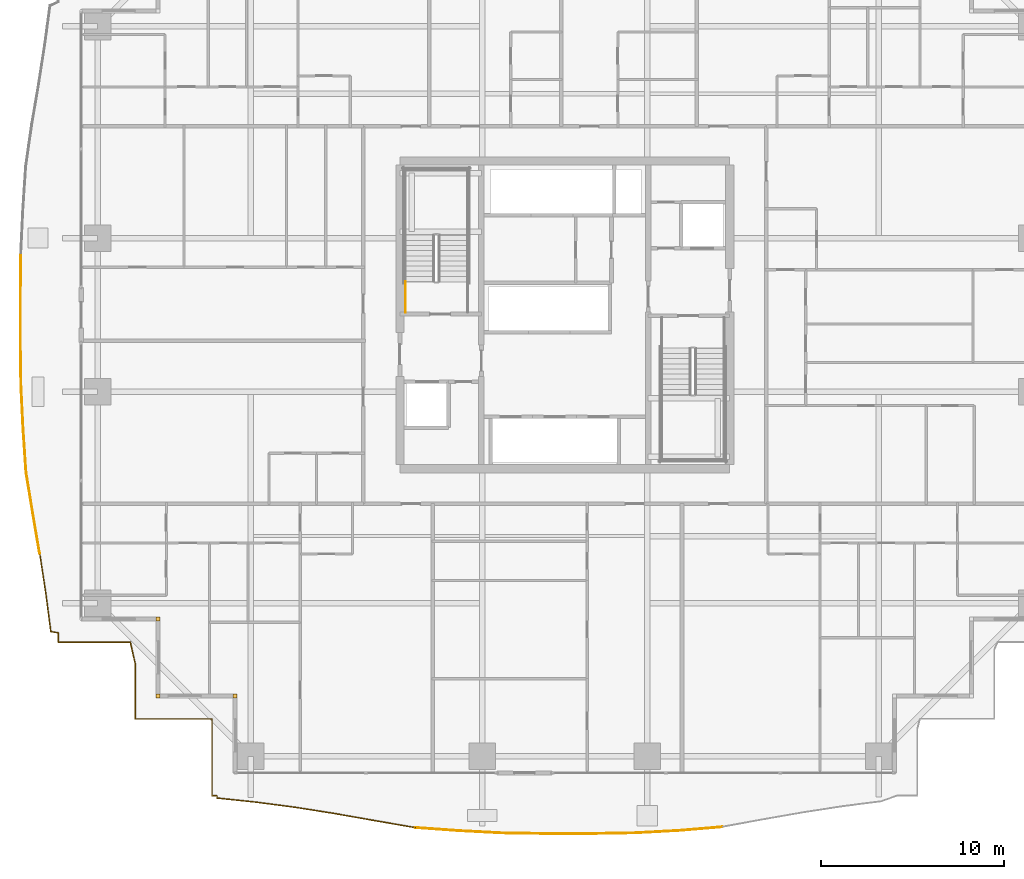
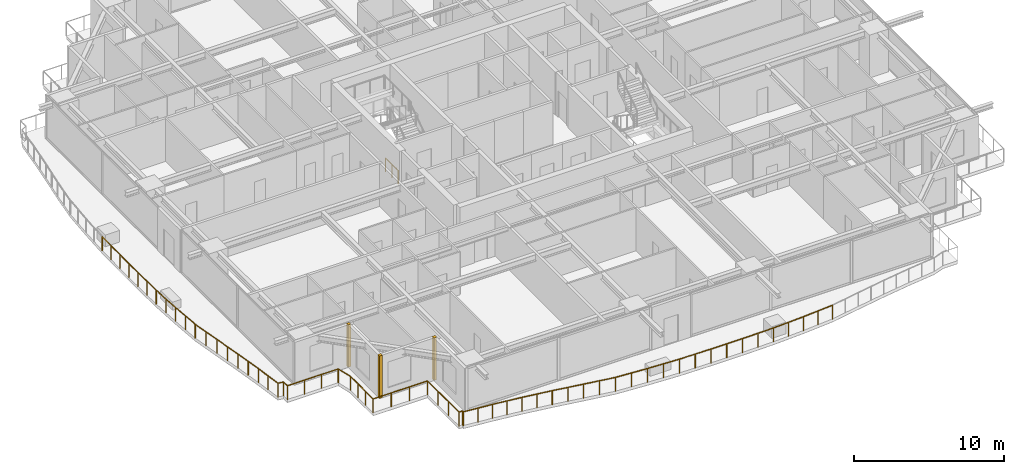
# One storey, part 35 of 41: 5 railings, 3 coverings.
"""IFC4 building model written with IfcOpenShell, lengths in metres."""

from ifc_helpers import new_model, si_unit, direction, frame, origin, origin_2d, place, context, subcontext, project, spatial, rectangle, circle, extrude, source, transform, mapped, material, layer, layer_set, type_object, element, save


model = new_model("IFC4")

# Units and contexts
model_context = context("Model", 3, precision=1e-05, world=origin(), true_north=direction((0.0, 1.0)))
body_context = subcontext(model_context, "Body", "Model", "MODEL_VIEW")
ifc_project = project(units=[si_unit("LENGTHUNIT", "METRE"), si_unit("AREAUNIT", "SQUARE_METRE"), si_unit("VOLUMEUNIT", "CUBIC_METRE"), si_unit("PLANEANGLEUNIT", "RADIAN"), si_unit("MASSUNIT", "GRAM", prefix="KILO")], contexts=[model_context])

# Site, building, storey
site_placement = place(None, origin())
site = spatial("IfcSite", under=ifc_project, at=site_placement, CompositionType="ELEMENT")
building_placement = place(site_placement, origin())
building = spatial("IfcBuilding", under=site, at=building_placement, Name="Serunith Strait Residences", CompositionType="ELEMENT")
storey_placement = place(building_placement, frame((0.0, 0.0, 45.449951171875)))
storey = spatial("IfcBuildingStorey", under=building, at=storey_placement, Name="L10", CompositionType="ELEMENT", Elevation=45.449951171875)

# Railings
ifc_material_1 = material(Name="Stainless Steel & Laminated Glass Balustrade", Category="steel")
railing_type_1 = type_object("IfcRailingType", Name="RLG-BALC-1150", PredefinedType="BALUSTRADE", material=ifc_material_1)
railing_1_placement = place(storey_placement, frame((13.139892578125, 3.139892578125, -0.050048828125)))
element("IfcRailing", 1, at=railing_1_placement, inside=storey, type_object=railing_type_1, Name="L10 Swirling Balcony Perimeter Balustrade 1", PredefinedType="BALUSTRADE", context=body_context, shape_type="SweptSolid", body=[
    extrude(circle(Radius=0.02392578125, at=origin_2d()), frame((-0.001953125, 0.0, 1.1259765625), z_axis=(-1.0, 0.0, 0.0), x_axis=(0.0, -1.0, 0.0)), (0.0, 0.0, 1.0), 4.196044921875),
    extrude(circle(Radius=0.02392578125, at=origin_2d()), frame((-4.199951171875, 0.001953125, 1.1259765625), z_axis=(0.0, 1.0, 0.0), x_axis=(-1.0, 0.0, 0.0)), (0.0, 0.0, 1.0), 3.036376953125),
    extrude(circle(Radius=0.02392578125, at=origin_2d()), frame((-4.200439453125, 3.042236328125, 1.1259765625), z_axis=(-0.223420826301, 0.974722080583, 0.0), x_axis=(-0.974722080583, -0.223420826301, 0.0)), (0.0, 0.0, 1.0), 1.18603515625),
    extrude(circle(Radius=0.02392578125, at=origin_2d()), frame((-4.4677734375, 4.2001953125, 1.1259765625), z_axis=(-1.0, 0.0, 0.0), x_axis=(0.0, -1.0, 0.0)), (0.0, 0.0, 1.0), 3.93017578125),
    extrude(circle(Radius=0.02392578125, at=origin_2d()), frame((-8.39990234375, 4.2021484375, 1.1259765625), z_axis=(0.0, 1.0, 0.0), x_axis=(-1.0, 0.0, 0.0)), (0.0, 0.0, 1.0), 0.50048828125),
    extrude(circle(Radius=0.02392578125, at=origin_2d()), frame((-8.40185546875, 4.704833984375, 1.1259765625), z_axis=(-0.987410703107, 0.158177442731, 0.0), x_axis=(-0.158177442731, -0.987410703107, 0.0)), (0.0, 0.0, 1.0), 0.403564453125),
    extrude(circle(Radius=0.02392578125, at=origin_2d()), frame((-8.802490234375, 4.77099609375, 1.1259765625), z_axis=(-0.12981583456, 0.991538122866, 0.0), x_axis=(-0.991538122866, -0.12981583456, 0.0)), (0.0, 0.0, 1.0), 2.141845703125),
    extrude(circle(Radius=0.02392578125, at=origin_2d()), frame((-9.0810546875, 6.898681640625, 1.1259765625), z_axis=(-0.151913750849, 0.988393753675, 0.0), x_axis=(-0.988393753675, -0.151913750849, 0.0)), (0.0, 0.0, 1.0), 2.17041015625),
    extrude(circle(Radius=0.02099609375, at=origin_2d()), origin(), (0.0, 0.0, 1.0), 1.099853515625),
    extrude(circle(Radius=0.02099609375, at=origin_2d()), frame((-1.39990234375, 0.0, 0.0)), (0.0, 0.0, 1.0), 1.099853515625),
    extrude(circle(Radius=0.02099609375, at=origin_2d()), frame((-2.800048828125, 0.0, 0.0)), (0.0, 0.0, 1.0), 1.099853515625),
    extrude(circle(Radius=0.02099609375, at=origin_2d()), frame((-4.199951171875, 0.0, 0.0)), (0.0, 0.0, 1.0), 1.099853515625),
    extrude(circle(Radius=0.02099609375, at=origin_2d()), frame((-4.199951171875, 1.013427734375, 0.0)), (0.0, 0.0, 1.0), 1.099853515625),
    extrude(circle(Radius=0.02099609375, at=origin_2d()), frame((-4.199951171875, 2.02685546875, 0.0)), (0.0, 0.0, 1.0), 1.099853515625),
    extrude(circle(Radius=0.02099609375, at=origin_2d()), frame((-4.199951171875, 3.040283203125, 0.0)), (0.0, 0.0, 1.0), 1.099853515625),
    extrude(circle(Radius=0.02099609375, at=origin_2d()), frame((-4.4658203125, 4.2001953125, 0.0)), (0.0, 0.0, 1.0), 1.099853515625),
    extrude(circle(Radius=0.02099609375, at=origin_2d()), frame((-5.777099609375, 4.2001953125, 0.0)), (0.0, 0.0, 1.0), 1.099853515625),
    extrude(circle(Radius=0.02099609375, at=origin_2d()), frame((-7.088623046875, 4.2001953125, 0.0)), (0.0, 0.0, 1.0), 1.099853515625),
    extrude(circle(Radius=0.02099609375, at=origin_2d()), frame((-8.39990234375, 4.2001953125, 0.0)), (0.0, 0.0, 1.0), 1.099853515625),
    extrude(circle(Radius=0.02099609375, at=origin_2d()), frame((-8.39990234375, 4.70458984375, 0.0)), (0.0, 0.0, 1.0), 1.099853515625),
    extrude(circle(Radius=0.02099609375, at=origin_2d()), frame((-8.80224609375, 4.76904296875, 0.0)), (0.0, 0.0, 1.0), 1.099853515625),
    extrude(circle(Radius=0.02099609375, at=origin_2d()), frame((-8.94140625, 5.8330078125, 0.0)), (0.0, 0.0, 1.0), 1.099853515625),
    extrude(circle(Radius=0.02099609375, at=origin_2d()), frame((-9.080810546875, 6.896728515625, 0.0)), (0.0, 0.0, 1.0), 1.099853515625),
    extrude(circle(Radius=0.02099609375, at=origin_2d()), frame((-9.24609375, 7.97119140625, 0.0)), (0.0, 0.0, 1.0), 1.099853515625),
    extrude(circle(Radius=0.02099609375, at=origin_2d()), frame((-9.4111328125, 9.0458984375, 0.0)), (0.0, 0.0, 1.0), 1.099853515625),
])
railing_2_placement = place(storey_placement, frame((3.728759765625, 12.185791015625, -0.050048828125)))
element("IfcRailing", 2, at=railing_2_placement, inside=storey, type_object=railing_type_1, Name="L10 Swirling Balcony Perimeter Balustrade 2", PredefinedType="BALUSTRADE", context=body_context, shape_type="SweptSolid", body=[
    extrude(circle(Radius=0.02392578125, at=origin_2d()), frame((-0.000244140625, 0.001953125, 1.1259765625), z_axis=(-0.167146302009, 0.985932104014, 0.0), x_axis=(-0.985932104014, -0.167146302009, 0.0)), (0.0, 0.0, 1.0), 2.214599609375),
    extrude(circle(Radius=0.02392578125, at=origin_2d()), frame((-0.37109375, 2.189453125, 1.1259765625), z_axis=(-0.16212227532, 0.986770676421, 0.0), x_axis=(-0.986770676421, -0.16212227532, 0.0)), (0.0, 0.0, 1.0), 2.2744140625),
    extrude(circle(Radius=0.02392578125, at=origin_2d()), frame((-0.740478515625, 4.437744140625, 1.1259765625), z_axis=(-0.067508570844, 0.997718694253, 0.0), x_axis=(-0.997718694253, -0.067508570844, 0.0)), (0.0, 0.0, 1.0), 2.35400390625),
    extrude(circle(Radius=0.02392578125, at=origin_2d()), frame((-0.8994140625, 6.790283203125, 1.1259765625), z_axis=(-0.048794736856, 0.998808827381, 0.0), x_axis=(-0.998808827381, -0.048794736856, 0.0)), (0.0, 0.0, 1.0), 2.382568359375),
    extrude(circle(Radius=0.02392578125, at=origin_2d()), frame((-1.015869140625, 9.174072265625, 1.1259765625), z_axis=(-0.013701515177, 0.999906129835, 0.0), x_axis=(-0.999906129835, -0.013701515177, 0.0)), (0.0, 0.0, 1.0), 2.401611328125),
    extrude(circle(Radius=0.02392578125, at=origin_2d()), frame((-1.048828125, 11.579345703125, 1.1259765625), z_axis=(0.0, 1.0, 0.0), x_axis=(-1.0, 0.0, 0.0)), (0.0, 0.0, 1.0), 2.40966796875),
    extrude(circle(Radius=0.02392578125, at=origin_2d()), frame((-1.048828125, 13.992919921875, 1.1259765625), z_axis=(0.011462018351, 0.99993430891, 0.0), x_axis=(-0.99993430891, 0.011462018351, 0.0)), (0.0, 0.0, 1.0), 2.40283203125),
    extrude(circle(Radius=0.02099609375, at=origin_2d()), origin(), (0.0, 0.0, 1.0), 1.099853515625),
    extrude(circle(Radius=0.02099609375, at=origin_2d()), frame((-0.185546875, 1.09375, 0.0)), (0.0, 0.0, 1.0), 1.099853515625),
    extrude(circle(Radius=0.02099609375, at=origin_2d()), frame((-0.370849609375, 2.1875, 0.0)), (0.0, 0.0, 1.0), 1.099853515625),
    extrude(circle(Radius=0.02099609375, at=origin_2d()), frame((-0.5556640625, 3.3115234375, 0.0)), (0.0, 0.0, 1.0), 1.099853515625),
    extrude(circle(Radius=0.02099609375, at=origin_2d()), frame((-0.740234375, 4.435791015625, 0.0)), (0.0, 0.0, 1.0), 1.099853515625),
    extrude(circle(Radius=0.02099609375, at=origin_2d()), frame((-0.81982421875, 5.612060546875, 0.0)), (0.0, 0.0, 1.0), 1.099853515625),
    extrude(circle(Radius=0.02099609375, at=origin_2d()), frame((-0.8994140625, 6.788330078125, 0.0)), (0.0, 0.0, 1.0), 1.099853515625),
    extrude(circle(Radius=0.02099609375, at=origin_2d()), frame((-0.95751953125, 7.980224609375, 0.0)), (0.0, 0.0, 1.0), 1.099853515625),
    extrude(circle(Radius=0.02099609375, at=origin_2d()), frame((-1.015869140625, 9.172119140625, 0.0)), (0.0, 0.0, 1.0), 1.099853515625),
    extrude(circle(Radius=0.02099609375, at=origin_2d()), frame((-1.0322265625, 10.374755859375, 0.0)), (0.0, 0.0, 1.0), 1.099853515625),
    extrude(circle(Radius=0.02099609375, at=origin_2d()), frame((-1.048828125, 11.577392578125, 0.0)), (0.0, 0.0, 1.0), 1.099853515625),
    extrude(circle(Radius=0.02099609375, at=origin_2d()), frame((-1.048828125, 12.7841796875, 0.0)), (0.0, 0.0, 1.0), 1.099853515625),
    extrude(circle(Radius=0.02099609375, at=origin_2d()), frame((-1.048828125, 13.990966796875, 0.0)), (0.0, 0.0, 1.0), 1.099853515625),
    extrude(circle(Radius=0.02099609375, at=origin_2d()), frame((-1.03515625, 15.1943359375, 0.0)), (0.0, 0.0, 1.0), 1.099853515625),
    extrude(circle(Radius=0.02099609375, at=origin_2d()), frame((-1.021240234375, 16.397705078125, 0.0)), (0.0, 0.0, 1.0), 1.099853515625),
])
railing_3_placement = place(storey_placement, frame((41.0087890625, -2.7509765625, -0.050048828125)))
element("IfcRailing", 3, at=railing_3_placement, inside=storey, type_object=railing_type_1, Name="L10 Swirling Balcony Perimeter Balustrade 7", PredefinedType="BALUSTRADE", context=body_context, shape_type="SweptSolid", body=[
    extrude(circle(Radius=0.02392578125, at=origin_2d()), frame((-0.001953125, -0.000244140625, 1.1259765625), z_axis=(-0.996434944958, -0.08436468732, 0.0), x_axis=(0.08436468732, -0.996434944958, 0.0)), (0.0, 0.0, 1.0), 2.3544921875),
    extrude(circle(Radius=0.02392578125, at=origin_2d()), frame((-2.35205078125, -0.198974609375, 1.1259765625), z_axis=(-0.998553230412, -0.053772167839, 0.0), x_axis=(0.053772167839, -0.998553230412, 0.0)), (0.0, 0.0, 1.0), 2.393310546875),
    extrude(circle(Radius=0.02392578125, at=origin_2d()), frame((-4.745849609375, -0.327880859375, 1.1259765625), z_axis=(-0.999854591758, -0.017052722374, 0.0), x_axis=(0.017052722374, -0.999854591758, 0.0)), (0.0, 0.0, 1.0), 2.41552734375),
    extrude(circle(Radius=0.02392578125, at=origin_2d()), frame((-7.1650390625, -0.369140625, 1.1259765625), z_axis=(-1.0, 0.0, 0.0), x_axis=(0.0, -1.0, 0.0)), (0.0, 0.0, 1.0), 2.424560546875),
    extrude(circle(Radius=0.02392578125, at=origin_2d()), frame((-9.593505859375, -0.369140625, 1.1259765625), z_axis=(-0.999896031612, 0.014419638213, 0.0), x_axis=(-0.014419638213, -0.999896031612, 0.0)), (0.0, 0.0, 1.0), 2.417236328125),
    extrude(circle(Radius=0.02392578125, at=origin_2d()), frame((-12.014404296875, -0.334228515625, 1.1259765625), z_axis=(-0.998659371128, 0.051763505082, 0.0), x_axis=(-0.051763505082, -0.998659371128, 0.0)), (0.0, 0.0, 1.0), 2.396728515625),
    extrude(circle(Radius=0.02392578125, at=origin_2d()), frame((-14.411865234375, -0.209716796875, 1.1259765625), z_axis=(-0.997431951691, 0.071620539976, 0.0), x_axis=(-0.071620539976, -0.997431951691, 0.0)), (0.0, 0.0, 1.0), 2.365234375),
    extrude(circle(Radius=0.02099609375, at=origin_2d()), origin(), (0.0, 0.0, 1.0), 1.099853515625),
    extrude(circle(Radius=0.02099609375, at=origin_2d()), frame((-1.175048828125, -0.099609375, 0.0)), (0.0, 0.0, 1.0), 1.099853515625),
    extrude(circle(Radius=0.02099609375, at=origin_2d()), frame((-2.35009765625, -0.198974609375, 0.0)), (0.0, 0.0, 1.0), 1.099853515625),
    extrude(circle(Radius=0.02099609375, at=origin_2d()), frame((-3.546875, -0.263427734375, 0.0)), (0.0, 0.0, 1.0), 1.099853515625),
    extrude(circle(Radius=0.02099609375, at=origin_2d()), frame((-4.743896484375, -0.327880859375, 0.0)), (0.0, 0.0, 1.0), 1.099853515625),
    extrude(circle(Radius=0.02099609375, at=origin_2d()), frame((-5.95361328125, -0.3486328125, 0.0)), (0.0, 0.0, 1.0), 1.099853515625),
    extrude(circle(Radius=0.02099609375, at=origin_2d()), frame((-7.1630859375, -0.369140625, 0.0)), (0.0, 0.0, 1.0), 1.099853515625),
    extrude(circle(Radius=0.02099609375, at=origin_2d()), frame((-8.37744140625, -0.369140625, 0.0)), (0.0, 0.0, 1.0), 1.099853515625),
    extrude(circle(Radius=0.02099609375, at=origin_2d()), frame((-9.591552734375, -0.369140625, 0.0)), (0.0, 0.0, 1.0), 1.099853515625),
    extrude(circle(Radius=0.02099609375, at=origin_2d()), frame((-10.802001953125, -0.3515625, 0.0)), (0.0, 0.0, 1.0), 1.099853515625),
    extrude(circle(Radius=0.02099609375, at=origin_2d()), frame((-12.012451171875, -0.334228515625, 0.0)), (0.0, 0.0, 1.0), 1.099853515625),
    extrude(circle(Radius=0.02099609375, at=origin_2d()), frame((-13.211181640625, -0.27197265625, 0.0)), (0.0, 0.0, 1.0), 1.099853515625),
    extrude(circle(Radius=0.02099609375, at=origin_2d()), frame((-14.409912109375, -0.2099609375, 0.0)), (0.0, 0.0, 1.0), 1.099853515625),
    extrude(circle(Radius=0.02099609375, at=origin_2d()), frame((-15.59130859375, -0.125, 0.0)), (0.0, 0.0, 1.0), 1.099853515625),
    extrude(circle(Radius=0.02099609375, at=origin_2d()), frame((-16.77294921875, -0.040283203125, 0.0)), (0.0, 0.0, 1.0), 1.099853515625),
])
railing_4_placement = place(storey_placement, frame((24.23583984375, -2.791259765625, -0.050048828125)))
element("IfcRailing", 4, at=railing_4_placement, inside=storey, type_object=railing_type_1, Name="L10 Swirling Balcony Perimeter Balustrade 8", PredefinedType="BALUSTRADE", context=body_context, shape_type="SweptSolid", body=[
    extrude(circle(Radius=0.02392578125, at=origin_2d()), frame((-0.001953125, 0.000244140625, 1.1259765625), z_axis=(-0.985364317378, 0.170461614557, 0.0), x_axis=(-0.170461614557, -0.985364317378, 0.0)), (0.0, 0.0, 1.0), 2.280517578125),
    extrude(circle(Radius=0.02392578125, at=origin_2d()), frame((-2.2529296875, 0.3896484375, 1.1259765625), z_axis=(-0.984804588978, 0.173666120839, 0.0), x_axis=(-0.173666120839, -0.984804588978, 0.0)), (0.0, 0.0, 1.0), 2.2158203125),
    extrude(circle(Radius=0.02392578125, at=origin_2d()), frame((-4.43896484375, 0.775146484375, 1.1259765625), z_axis=(-0.987850276869, 0.155408592073, 0.0), x_axis=(-0.155408592073, -0.987850276869, 0.0)), (0.0, 0.0, 1.0), 2.168701171875),
    extrude(circle(Radius=0.02392578125, at=origin_2d()), frame((-6.585205078125, 1.11279296875, 1.1259765625), z_axis=(-0.991476763085, 0.130283645413, 0.0), x_axis=(-0.130283645413, -0.991476763085, 0.0)), (0.0, 0.0, 1.0), 2.1396484375),
    extrude(circle(Radius=0.02392578125, at=origin_2d()), frame((-8.710693359375, 1.39208984375, 1.1259765625), z_axis=(-0.994521769657, 0.104529659321, 0.0), x_axis=(-0.104529659321, -0.994521769657, 0.0)), (0.0, 0.0, 1.0), 2.1259765625),
    extrude(circle(Radius=0.02392578125, at=origin_2d()), frame((-10.8271484375, 1.616455078125, 1.1259765625), z_axis=(0.008367907853, 0.999964988446, 0.0), x_axis=(-0.999964988446, 0.008367907853, 0.0)), (0.0, 0.0, 1.0), 0.11279296875),
    extrude(circle(Radius=0.02392578125, at=origin_2d()), frame((-10.828125, 1.731201171875, 1.1259765625), z_axis=(-1.0, 0.0, 0.0), x_axis=(0.0, -1.0, 0.0)), (0.0, 0.0, 1.0), 0.265869140625),
    extrude(circle(Radius=0.02392578125, at=origin_2d()), frame((-11.095947265625, 1.733154296875, 1.1259765625), z_axis=(0.0, 1.0, 0.0), x_axis=(-1.0, 0.0, 0.0)), (0.0, 0.0, 1.0), 4.196044921875),
    extrude(circle(Radius=0.02099609375, at=origin_2d()), origin(), (0.0, 0.0, 1.0), 1.099853515625),
    extrude(circle(Radius=0.02099609375, at=origin_2d()), frame((-1.12548828125, 0.19482421875, 0.0)), (0.0, 0.0, 1.0), 1.099853515625),
    extrude(circle(Radius=0.02099609375, at=origin_2d()), frame((-2.2509765625, 0.389404296875, 0.0)), (0.0, 0.0, 1.0), 1.099853515625),
    extrude(circle(Radius=0.02099609375, at=origin_2d()), frame((-3.343994140625, 0.58203125, 0.0)), (0.0, 0.0, 1.0), 1.099853515625),
    extrude(circle(Radius=0.02099609375, at=origin_2d()), frame((-4.43701171875, 0.77490234375, 0.0)), (0.0, 0.0, 1.0), 1.099853515625),
    extrude(circle(Radius=0.02099609375, at=origin_2d()), frame((-5.51025390625, 0.94384765625, 0.0)), (0.0, 0.0, 1.0), 1.099853515625),
    extrude(circle(Radius=0.02099609375, at=origin_2d()), frame((-6.583251953125, 1.112548828125, 0.0)), (0.0, 0.0, 1.0), 1.099853515625),
    extrude(circle(Radius=0.02099609375, at=origin_2d()), frame((-7.64599609375, 1.252197265625, 0.0)), (0.0, 0.0, 1.0), 1.099853515625),
    extrude(circle(Radius=0.02099609375, at=origin_2d()), frame((-8.708740234375, 1.391845703125, 0.0)), (0.0, 0.0, 1.0), 1.099853515625),
    extrude(circle(Radius=0.02099609375, at=origin_2d()), frame((-9.76806640625, 1.503173828125, 0.0)), (0.0, 0.0, 1.0), 1.099853515625),
    extrude(circle(Radius=0.02099609375, at=origin_2d()), frame((-10.8271484375, 1.614501953125, 0.0)), (0.0, 0.0, 1.0), 1.099853515625),
    extrude(circle(Radius=0.02099609375, at=origin_2d()), frame((-10.826171875, 1.731201171875, 0.0)), (0.0, 0.0, 1.0), 1.099853515625),
    extrude(circle(Radius=0.02099609375, at=origin_2d()), frame((-11.095947265625, 1.731201171875, 0.0)), (0.0, 0.0, 1.0), 1.099853515625),
    extrude(circle(Radius=0.02099609375, at=origin_2d()), frame((-11.095947265625, 3.131103515625, 0.0)), (0.0, 0.0, 1.0), 1.099853515625),
    extrude(circle(Radius=0.02099609375, at=origin_2d()), frame((-11.095947265625, 4.53125, 0.0)), (0.0, 0.0, 1.0), 1.099853515625),
    extrude(circle(Radius=0.02099609375, at=origin_2d()), frame((-11.095947265625, 5.93115234375, 0.0)), (0.0, 0.0, 1.0), 1.099853515625),
])
ifc_material_2 = material(Name="Brushed stainless steel 316L", Category="steel")
railing_type_2 = type_object("IfcRailingType", Name="RLG-STAIR-GUARD", PredefinedType="BALUSTRADE", material=ifc_material_2)
railing_5_placement = place(storey_placement, frame((23.699951171875, 25.35009765625, 0.0)))
element("IfcRailing", 5, at=railing_5_placement, inside=storey, type_object=railing_type_2, Name="L10 ST-1 stair guard 9", PredefinedType="BALUSTRADE", context=body_context, shape_type="SweptSolid", body=[
    extrude(circle(Radius=0.02392578125, at=origin_2d()), frame((0.0, 0.001953125, 1.076171875), z_axis=(0.0, 1.0, 0.0), x_axis=(-1.0, 0.0, 0.0)), (0.0, 0.0, 1.0), 1.676025390625),
    extrude(circle(Radius=0.02099609375, at=origin_2d()), origin(), (0.0, 0.0, 1.0), 1.050048828125),
    extrude(circle(Radius=0.02099609375, at=origin_2d()), frame((0.0, 0.83984375, 0.0)), (0.0, 0.0, 1.0), 1.050048828125),
    extrude(circle(Radius=0.02099609375, at=origin_2d()), frame((0.0, 1.679931640625, 0.0)), (0.0, 0.0, 1.0), 1.050048828125),
])

# Coverings
ifc_material_3 = material(Name="Pale-Champagne Anodised Aluminium", Category="aluminium")
ifc_layer = layer(ifc_material_3, 0.219970703125, Name="Pale-Champagne Anodised Aluminium")
ifc_layer_set = layer_set([ifc_layer], Name="Pale-Champagne Anodised Aluminium")
covering_type = type_object("IfcCoveringType", Name="COV-CORN-TRIM", PredefinedType="CLADDING", material=ifc_layer_set)
shared_shape = source(origin(), body_context, "Body", "SweptSolid", [
    extrude(rectangle(XDim=0.221923828125, YDim=0.221923828125, at=origin_2d()), origin(), (0.0, 0.0, 1.0), 3.47509765625),
])
for number, where, z_axis, x_axis, name in (
    (6, (10.199951171875, 8.60009765625, 0.0), (0.0, 0.0, 1.0), (1.0, 0.0, 0.0), "L10 Girih Serrated Corner Trim Post 17"),
    (7, (10.199951171875, 4.39990234375, 0.0), (0.0, 0.0, 1.0), (1.0, 0.0, 0.0), "L10 Girih Serrated Corner Trim Post 18"),
    (8, (14.39990234375, 4.39990234375, 0.0), (0.0, 0.0, 1.0), (1.0, 0.0, 0.0), "L10 Girih Serrated Corner Trim Post 19"),
):
    element("IfcCovering", number, at=place(storey_placement, frame(where, z_axis=z_axis, x_axis=x_axis)), inside=storey, type_object=covering_type, Name=name, PredefinedType="CLADDING", context=body_context, shape_type="MappedRepresentation", body=[
        mapped(shared_shape, transform((0.0, 0.0, 0.0), scale=1.0)),
    ])

save(model, "model.ifc")
